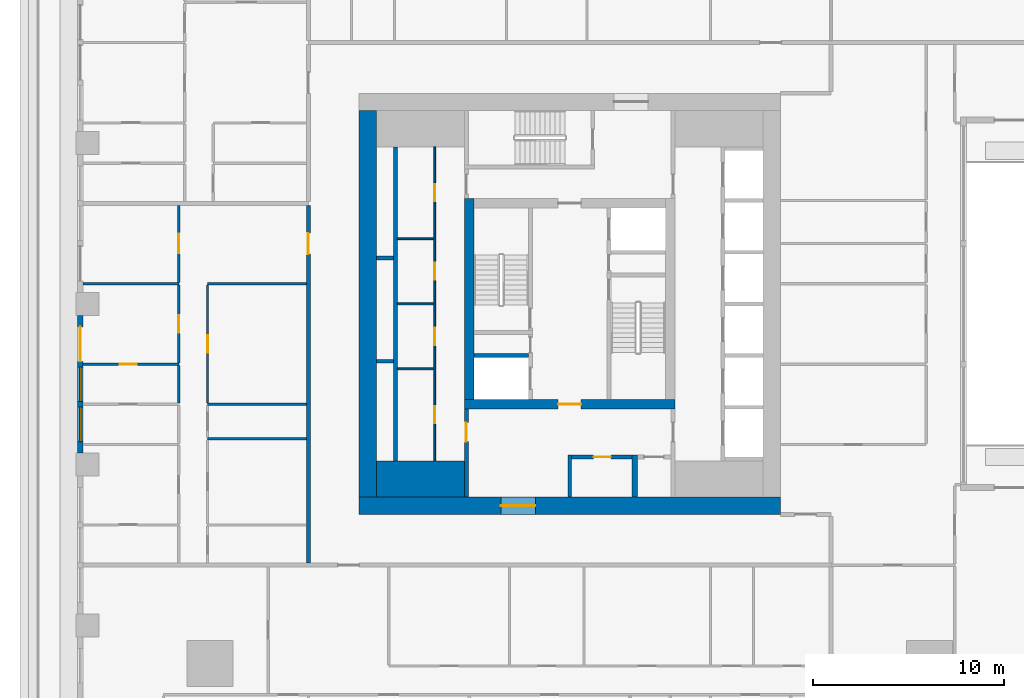
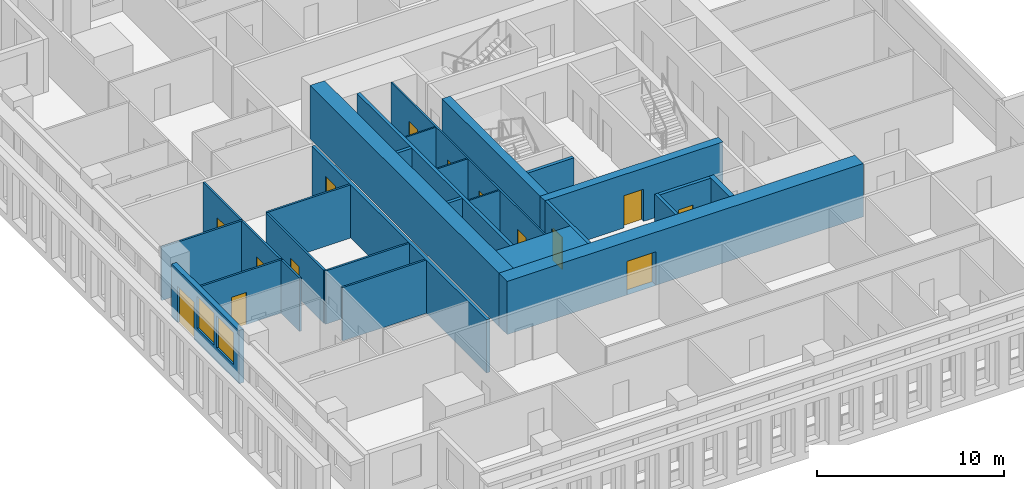
# One storey, part 3 of 15: 28 walls, 14 doors, 2 windows, 16 openings.
"""IFC4 building model written with IfcOpenShell, lengths in metres."""

from ifc_helpers import new_model, si_unit, direction, frame, frame_2d, origin, place, context, subcontext, project, spatial, rectangle, extrude, material, layer, layer_set, type_object, element, fill, save


model = new_model("IFC4")

# Units and contexts
model_context = context("Model", 3, precision=1e-05, world=origin(), true_north=direction((0.0, 1.0)))
body_context = subcontext(model_context, "Body", "Model", "MODEL_VIEW")
ifc_project = project(units=[si_unit("LENGTHUNIT", "METRE"), si_unit("AREAUNIT", "SQUARE_METRE"), si_unit("VOLUMEUNIT", "CUBIC_METRE"), si_unit("PLANEANGLEUNIT", "RADIAN"), si_unit("MASSUNIT", "GRAM", prefix="KILO")], contexts=[model_context])

# Site, building, storey
site_placement = place(None, origin())
site = spatial("IfcSite", under=ifc_project, at=site_placement, CompositionType="ELEMENT")
building_placement = place(site_placement, origin())
building = spatial("IfcBuilding", under=site, at=building_placement, Name="Khepri Terraces", CompositionType="ELEMENT")
storey_placement = place(building_placement, frame((0.0, 0.0, 211.800048828125)))
storey = spatial("IfcBuildingStorey", under=building, at=storey_placement, Name="L50", CompositionType="ELEMENT", Elevation=211.800048828125)

# Walls
ifc_material_1 = material(Name="Concrete C50/60", Category="concrete")
ifc_layer_1 = layer(ifc_material_1, 1.89990234375, Name="Concrete C50/60", Category="concrete")
ifc_layer_set_1 = layer_set([ifc_layer_1], Name="Concrete C50/60")
wall_type_1 = type_object("IfcWallType", Name="Core wall 1900 C50/60", PredefinedType="SHEAR", material=ifc_layer_set_1)
wall_1_placement = place(storey_placement, frame((-10.10009765625, -9.14990234375, 0.0), z_axis=(0.0, 0.0, 1.0), x_axis=(1.0, 0.0, 0.0)))
element("IfcWall", 1, at=wall_1_placement, inside=storey, type_object=wall_type_1, Name="Core wall PR01 L50", PredefinedType="SHEAR", context=body_context, shape_type="SweptSolid", body=[
    extrude(rectangle(XDim=4.60009765625, YDim=1.89990234375, at=frame_2d((2.300048828125, 0.0))), origin(), (0.0, 0.0, 1.0), 3.47998046875),
])
ifc_layer_2 = layer(ifc_material_1, 0.199951171875, Name="Concrete C50/60", Category="concrete")
ifc_layer_set_2 = layer_set([ifc_layer_2], Name="Concrete C50/60")
wall_type_2 = type_object("IfcWallType", Name="Core wall 200 C50/60", PredefinedType="SHEAR", material=ifc_layer_set_2)
wall_2_placement = place(storey_placement, frame((-9.10009765625, -8.199951171875, 0.0), z_axis=(0.0, 0.0, 1.0), x_axis=(0.0, 1.0, 0.0)))
element("IfcWall", 2, at=wall_2_placement, inside=storey, type_object=wall_type_2, Name="Core wall SH01 L50", PredefinedType="SHEAR", context=body_context, shape_type="SweptSolid", body=[
    extrude(rectangle(XDim=16.39990234375, YDim=0.199951171875, at=frame_2d((8.199951171875, 0.0))), origin(), (0.0, 0.0, 1.0), 3.47998046875),
])
wall_3_placement = place(storey_placement, frame((-10.10009765625, -3.0, 0.0), z_axis=(0.0, 0.0, 1.0), x_axis=(1.0, 0.0, 0.0)))
element("IfcWall", 3, at=wall_3_placement, inside=storey, type_object=wall_type_2, Name="Core wall SH06 L50", PredefinedType="SHEAR", context=body_context, shape_type="SweptSolid", body=[
    extrude(rectangle(XDim=0.900146484375, YDim=0.199951171875, at=frame_2d((0.4501953125, 0.0))), origin(), (0.0, 0.0, 1.0), 3.47998046875),
])
wall_4_placement = place(storey_placement, frame((-5.0, -2.699951171875, 0.0), z_axis=(0.0, 0.0, 1.0), x_axis=(1.0, 0.0, 0.0)))
element("IfcWall", 4, at=wall_4_placement, inside=storey, type_object=wall_type_2, Name="Core wall SH07 L50", PredefinedType="SHEAR", context=body_context, shape_type="SweptSolid", body=[
    extrude(rectangle(XDim=2.85009765625, YDim=0.199951171875, at=frame_2d((1.425048828125, 0.0))), origin(), (0.0, 0.0, 1.0), 3.47998046875),
])
wall_5_placement = place(storey_placement, frame((-10.10009765625, 2.39990234375, 0.0), z_axis=(0.0, 0.0, 1.0), x_axis=(1.0, 0.0, 0.0)))
element("IfcWall", 5, at=wall_5_placement, inside=storey, type_object=wall_type_2, Name="Core wall SH11 L50", PredefinedType="SHEAR", context=body_context, shape_type="SweptSolid", body=[
    extrude(rectangle(XDim=0.900146484375, YDim=0.199951171875, at=frame_2d((0.4501953125, 0.0))), origin(), (0.0, 0.0, 1.0), 3.47998046875),
])

# Wall, opening, door
ifc_layer_3 = layer(ifc_material_1, 0.5, Name="Concrete C50/60", Category="concrete")
ifc_layer_set_3 = layer_set([ifc_layer_3], Name="Concrete C50/60")
wall_type_3 = type_object("IfcWallType", Name="Core wall 500 C50/60", PredefinedType="SHEAR", material=ifc_layer_set_3)
wall_6_placement = place(storey_placement, frame((-5.5, -5.25, 0.0), z_axis=(0.0, 0.0, 1.0), x_axis=(1.0, 0.0, 0.0)))
wall_6 = element("IfcWall", 6, at=wall_6_placement, inside=storey, type_object=wall_type_3, Name="Core wall BX01 L50", PredefinedType="SHEAR", context=body_context, shape_type="SweptSolid", body=[
    extrude(rectangle(XDim=11.0, YDim=0.5, at=frame_2d((5.5, 0.0))), origin(), (0.0, 0.0, 1.0), 3.47998046875),
])
opening_1_placement = place(wall_6_placement, frame((4.89990234375, 0.0, 0.0)))
opening_1 = element("IfcOpeningElement", 7, at=opening_1_placement, cuts=wall_6, Name="Opening L50-C14", PredefinedType="OPENING", context=body_context, shape_type="SweptSolid", body=[
    extrude(rectangle(XDim=1.199951171875, YDim=2.10009765625, at=frame_2d((0.60009765625, 1.050048828125))), frame((0.0, 0.260009765625, 0.0), z_axis=(0.0, -1.0, 0.0), x_axis=(1.0, 0.0, 0.0)), (0.0, 0.0, 1.0), 0.52001953125),
])
ifc_material_2 = material(Name="Painted steel", Category="steel")
door_type_1 = type_object("IfcDoorType", Name="DR-CORE-FF-LOBBY-1200", OperationType="NOTDEFINED", PredefinedType="DOOR", material=ifc_material_2)
door_1_placement = place(opening_1_placement, origin())
door_1 = element("IfcDoor", 8, at=door_1_placement, inside=storey, type_object=door_type_1, Name="Firefighting lobby door L50-C14", OperationType="SINGLE_SWING_RIGHT", OverallHeight=2.10009765625, OverallWidth=1.199951171875, PredefinedType="DOOR", context=body_context, shape_type="SweptSolid", body=[
    extrude(rectangle(XDim=1.199951171875, YDim=2.10009765625, at=frame_2d((0.60009765625, 1.050048828125))), frame((0.0, 0.02490234375, 0.0), z_axis=(0.0, -1.0, 0.0), x_axis=(1.0, 0.0, 0.0)), (0.0, 0.0, 1.0), 0.050048828125),
])
fill(opening_1, door_1)

# Wall
wall_7_placement = place(storey_placement, frame((-5.25, -5.0, 0.0), z_axis=(0.0, 0.0, 1.0), x_axis=(0.0, 1.0, 0.0)))
element("IfcWall", 9, at=wall_7_placement, inside=storey, type_object=wall_type_3, Name="Core wall BX02 L50", PredefinedType="SHEAR", context=body_context, shape_type="SweptSolid", body=[
    extrude(rectangle(XDim=10.5, YDim=0.5, at=frame_2d((5.25, 0.0))), origin(), (0.0, 0.0, 1.0), 3.47998046875),
])

# Wall, opening, door
ifc_layer_4 = layer(ifc_material_1, 0.89990234375, Name="Concrete C50/60", Category="concrete")
ifc_layer_set_4 = layer_set([ifc_layer_4], Name="Concrete C50/60")
wall_type_4 = type_object("IfcWallType", Name="Core wall 900 C50/60", PredefinedType="SHEAR", material=ifc_layer_set_4)
wall_8_placement = place(storey_placement, frame((-11.0, -10.550048828125, 0.0), z_axis=(0.0, 0.0, 1.0), x_axis=(1.0, 0.0, 0.0)))
wall_8 = element("IfcWall", 10, at=wall_8_placement, inside=storey, type_object=wall_type_4, Name="Core wall OW-S L50", PredefinedType="SHEAR", context=body_context, shape_type="SweptSolid", body=[
    extrude(rectangle(XDim=22.0, YDim=0.89990234375, at=frame_2d((11.0, 0.0))), origin(), (0.0, 0.0, 1.0), 3.47998046875),
])
opening_2_placement = place(wall_8_placement, frame((7.39990234375, 0.0, 0.0)))
opening_2 = element("IfcOpeningElement", 11, at=opening_2_placement, cuts=wall_8, Name="Opening L50-C21", PredefinedType="OPENING", context=body_context, shape_type="SweptSolid", body=[
    extrude(rectangle(XDim=1.800048828125, YDim=2.199951171875, at=frame_2d((0.89990234375, 1.10009765625))), frame((0.0, 0.4599609375, 0.0), z_axis=(0.0, -1.0, 0.0), x_axis=(1.0, 0.0, 0.0)), (0.0, 0.0, 1.0), 0.919921875),
])
door_type_2 = type_object("IfcDoorType", Name="DR-CORE-ENTRANCE-1800", OperationType="NOTDEFINED", PredefinedType="DOOR", material=ifc_material_2)
door_2_placement = place(opening_2_placement, frame((1.800048828125, 0.0, 0.0), z_axis=(0.0, 0.0, 1.0), x_axis=(-1.0, 0.0, 0.0)))
door_2 = element("IfcDoor", 12, at=door_2_placement, inside=storey, type_object=door_type_2, Name="Core entrance door pair L50-C21", OperationType="DOUBLE_DOOR_SINGLE_SWING", OverallHeight=2.199951171875, OverallWidth=1.800048828125, PredefinedType="DOOR", context=body_context, shape_type="SweptSolid", body=[
    extrude(rectangle(XDim=1.800048828125, YDim=2.199951171875, at=frame_2d((0.89990234375, 1.10009765625))), frame((0.0, 0.02490234375, 0.0), z_axis=(0.0, -1.0, 0.0), x_axis=(1.0, 0.0, 0.0)), (0.0, 0.0, 1.0), 0.050048828125),
])
fill(opening_2, door_2)

# Wall
wall_9_placement = place(storey_placement, frame((-10.550048828125, -10.10009765625, 0.0), z_axis=(0.0, 0.0, 1.0), x_axis=(0.0, 1.0, 0.0)))
element("IfcWall", 13, at=wall_9_placement, inside=storey, type_object=wall_type_4, Name="Core wall OW-W L50", PredefinedType="SHEAR", context=body_context, shape_type="SweptSolid", body=[
    extrude(rectangle(XDim=20.2001953125, YDim=0.89990234375, at=frame_2d((10.10009765625, 0.0))), origin(), (0.0, 0.0, 1.0), 3.47998046875),
])

# Wall, openings, doors
ifc_material_3 = material(Name="Fire-rated gypsum board partition")
ifc_layer_5 = layer(ifc_material_3, 0.10009765625, Name="Fire-rated gypsum board partition")
ifc_layer_set_5 = layer_set([ifc_layer_5], Name="Fire-rated gypsum board partition")
wall_type_5 = type_object("IfcWallType", Name="WL-CORE-PART-100", PredefinedType="PARTITIONING", material=ifc_layer_set_5)
wall_10_placement = place(storey_placement, frame((-7.050048828125, -8.199951171875, 0.0), z_axis=(0.0, 0.0, 1.0), x_axis=(0.0, 1.0, 0.0)))
wall_10 = element("IfcWall", 14, at=wall_10_placement, inside=storey, type_object=wall_type_5, Name="Core partition PT05 L50", PredefinedType="PARTITIONING", context=body_context, shape_type="SweptSolid", body=[
    extrude(rectangle(XDim=16.39990234375, YDim=0.10009765625, at=frame_2d((8.199951171875, 0.0))), origin(), (0.0, 0.0, 1.0), 3.47998046875),
])
opening_3_placement = place(wall_10_placement, frame((1.949951171875, 0.0, 0.0)))
opening_3 = element("IfcOpeningElement", 15, at=opening_3_placement, cuts=wall_10, Name="Opening L50-C24", PredefinedType="OPENING", context=body_context, shape_type="SweptSolid", body=[
    extrude(rectangle(XDim=0.89990234375, YDim=2.10009765625, at=frame_2d((0.449951171875, 1.050048828125))), frame((0.0, 0.06005859375, 0.0), z_axis=(0.0, -1.0, 0.0), x_axis=(1.0, 0.0, 0.0)), (0.0, 0.0, 1.0), 0.1201171875),
])
opening_4_placement = place(wall_10_placement, frame((6.050048828125, 0.0, 0.0)))
opening_4 = element("IfcOpeningElement", 16, at=opening_4_placement, cuts=wall_10, Name="Opening L50-C25", PredefinedType="OPENING", context=body_context, shape_type="SweptSolid", body=[
    extrude(rectangle(XDim=0.89990234375, YDim=2.10009765625, at=frame_2d((0.449951171875, 1.050048828125))), frame((0.0, 0.06005859375, 0.0), z_axis=(0.0, -1.0, 0.0), x_axis=(1.0, 0.0, 0.0)), (0.0, 0.0, 1.0), 0.1201171875),
])
opening_5_placement = place(wall_10_placement, frame((9.449951171875, 0.0, 0.0)))
opening_5 = element("IfcOpeningElement", 17, at=opening_5_placement, cuts=wall_10, Name="Opening L50-C26", PredefinedType="OPENING", context=body_context, shape_type="SweptSolid", body=[
    extrude(rectangle(XDim=0.89990234375, YDim=2.10009765625, at=frame_2d((0.449951171875, 1.050048828125))), frame((0.0, 0.06005859375, 0.0), z_axis=(0.0, -1.0, 0.0), x_axis=(1.0, 0.0, 0.0)), (0.0, 0.0, 1.0), 0.1201171875),
])
opening_6_placement = place(wall_10_placement, frame((13.550048828125, 0.0, 0.0)))
opening_6 = element("IfcOpeningElement", 18, at=opening_6_placement, cuts=wall_10, Name="Opening L50-C27", PredefinedType="OPENING", context=body_context, shape_type="SweptSolid", body=[
    extrude(rectangle(XDim=0.89990234375, YDim=2.10009765625, at=frame_2d((0.449951171875, 1.050048828125))), frame((0.0, 0.06005859375, 0.0), z_axis=(0.0, -1.0, 0.0), x_axis=(1.0, 0.0, 0.0)), (0.0, 0.0, 1.0), 0.1201171875),
])
door_type_3 = type_object("IfcDoorType", Name="DR-CORE-SERVICE-900", OperationType="NOTDEFINED", PredefinedType="DOOR", material=ifc_material_2)
door_3_placement = place(opening_3_placement, origin())
door_3 = element("IfcDoor", 19, at=door_3_placement, inside=storey, type_object=door_type_3, Name="Service room door L50-C24", OperationType="SINGLE_SWING_LEFT", OverallHeight=2.10009765625, OverallWidth=0.89990234375, PredefinedType="DOOR", context=body_context, shape_type="SweptSolid", body=[
    extrude(rectangle(XDim=0.89990234375, YDim=2.10009765625, at=frame_2d((0.449951171875, 1.050048828125))), frame((0.0, 0.02490234375, 0.0), z_axis=(0.0, -1.0, 0.0), x_axis=(1.0, 0.0, 0.0)), (0.0, 0.0, 1.0), 0.050048828125),
])
fill(opening_3, door_3)
door_4_placement = place(opening_4_placement, origin())
door_4 = element("IfcDoor", 20, at=door_4_placement, inside=storey, type_object=door_type_3, Name="Service room door L50-C25", OperationType="SINGLE_SWING_LEFT", OverallHeight=2.10009765625, OverallWidth=0.89990234375, PredefinedType="DOOR", context=body_context, shape_type="SweptSolid", body=[
    extrude(rectangle(XDim=0.89990234375, YDim=2.10009765625, at=frame_2d((0.449951171875, 1.050048828125))), frame((0.0, 0.02490234375, 0.0), z_axis=(0.0, -1.0, 0.0), x_axis=(1.0, 0.0, 0.0)), (0.0, 0.0, 1.0), 0.050048828125),
])
fill(opening_4, door_4)
door_5_placement = place(opening_5_placement, origin())
door_5 = element("IfcDoor", 21, at=door_5_placement, inside=storey, type_object=door_type_3, Name="Service room door L50-C26", OperationType="SINGLE_SWING_RIGHT", OverallHeight=2.10009765625, OverallWidth=0.89990234375, PredefinedType="DOOR", context=body_context, shape_type="SweptSolid", body=[
    extrude(rectangle(XDim=0.89990234375, YDim=2.10009765625, at=frame_2d((0.449951171875, 1.050048828125))), frame((0.0, 0.02490234375, 0.0), z_axis=(0.0, -1.0, 0.0), x_axis=(1.0, 0.0, 0.0)), (0.0, 0.0, 1.0), 0.050048828125),
])
fill(opening_5, door_5)
door_6_placement = place(opening_6_placement, origin())
door_6 = element("IfcDoor", 22, at=door_6_placement, inside=storey, type_object=door_type_3, Name="Service room door L50-C27", OperationType="SINGLE_SWING_RIGHT", OverallHeight=2.10009765625, OverallWidth=0.89990234375, PredefinedType="DOOR", context=body_context, shape_type="SweptSolid", body=[
    extrude(rectangle(XDim=0.89990234375, YDim=2.10009765625, at=frame_2d((0.449951171875, 1.050048828125))), frame((0.0, 0.02490234375, 0.0), z_axis=(0.0, -1.0, 0.0), x_axis=(1.0, 0.0, 0.0)), (0.0, 0.0, 1.0), 0.050048828125),
])
fill(opening_6, door_6)

# Walls
for number, where, z_axis, x_axis, name in (
    (23, (-9.0, -3.39990234375, 0.0), (0.0, 0.0, 1.0), (1.0, 0.0, 0.0), "Core partition PT08 L50"),
    (24, (-9.0, 0.0, 0.0), (0.0, 0.0, 1.0), (1.0, 0.0, 0.0), "Core partition PT09 L50"),
    (25, (-9.0, 3.39990234375, 0.0), (0.0, 0.0, 1.0), (1.0, 0.0, 0.0), "Core partition PT10 L50"),
):
    element("IfcWall", number, at=place(storey_placement, frame(where, z_axis=z_axis, x_axis=x_axis)), inside=storey, type_object=wall_type_5, Name=name, PredefinedType="PARTITIONING", context=body_context, shape_type="SweptSolid", body=[
        extrude(rectangle(XDim=1.89990234375, YDim=0.10009765625, at=frame_2d((0.949951171875, 0.0))), origin(), (0.0, 0.0, 1.0), 3.47998046875),
    ])

# Wall, opening, door
ifc_layer_6 = layer(ifc_material_3, 0.199951171875, Name="Fire-rated gypsum board partition")
ifc_layer_set_6 = layer_set([ifc_layer_6], Name="Fire-rated gypsum board partition")
wall_type_6 = type_object("IfcWallType", Name="WL-CORE-PART-200", PredefinedType="PARTITIONING", material=ifc_layer_set_6)
wall_11_placement = place(storey_placement, frame((-5.39990234375, -10.10009765625, 0.0), z_axis=(0.0, 0.0, 1.0), x_axis=(0.0, 1.0, 0.0)))
wall_11 = element("IfcWall", 26, at=wall_11_placement, inside=storey, type_object=wall_type_6, Name="Core partition PT01 L50", PredefinedType="PARTITIONING", context=body_context, shape_type="SweptSolid", body=[
    extrude(rectangle(XDim=4.60009765625, YDim=0.199951171875, at=frame_2d((2.300048828125, 0.0))), origin(), (0.0, 0.0, 1.0), 3.47998046875),
])
opening_7_placement = place(wall_11_placement, frame((2.89990234375, 0.0, 0.0)))
opening_7 = element("IfcOpeningElement", 27, at=opening_7_placement, cuts=wall_11, Name="Opening L50-C18", PredefinedType="OPENING", context=body_context, shape_type="SweptSolid", body=[
    extrude(rectangle(XDim=1.0, YDim=2.10009765625, at=frame_2d((0.5, 1.050048828125))), frame((0.0, 0.10986328125, 0.0), z_axis=(0.0, -1.0, 0.0), x_axis=(1.0, 0.0, 0.0)), (0.0, 0.0, 1.0), 0.219970703125),
])
door_type_4 = type_object("IfcDoorType", Name="DR-CORE-LOBBY-1000", OperationType="NOTDEFINED", PredefinedType="DOOR", material=ifc_material_2)
door_7_placement = place(opening_7_placement, frame((1.0, 0.0, 0.0), z_axis=(0.0, 0.0, 1.0), x_axis=(-1.0, 0.0, 0.0)))
door_7 = element("IfcDoor", 28, at=door_7_placement, inside=storey, type_object=door_type_4, Name="Lobby door L50-C18", OperationType="SINGLE_SWING_LEFT", OverallHeight=2.10009765625, OverallWidth=1.0, PredefinedType="DOOR", context=body_context, shape_type="SweptSolid", body=[
    extrude(rectangle(XDim=1.0, YDim=2.10009765625, at=frame_2d((0.5, 1.050048828125))), frame((0.0, 0.02490234375, 0.0), z_axis=(0.0, -1.0, 0.0), x_axis=(1.0, 0.0, 0.0)), (0.0, 0.0, 1.0), 0.050048828125),
])
fill(opening_7, door_7)

# Wall
wall_12_placement = place(storey_placement, frame((0.0, -10.10009765625, 0.0), z_axis=(0.0, 0.0, 1.0), x_axis=(0.0, 1.0, 0.0)))
element("IfcWall", 29, at=wall_12_placement, inside=storey, type_object=wall_type_6, Name="Core partition PT02 L50", PredefinedType="PARTITIONING", context=body_context, shape_type="SweptSolid", body=[
    extrude(rectangle(XDim=2.2001953125, YDim=0.199951171875, at=frame_2d((1.10009765625, 0.0))), origin(), (0.0, 0.0, 1.0), 3.47998046875),
])

# Wall, opening, door
wall_13_placement = place(storey_placement, frame((0.10009765625, -8.0, 0.0), z_axis=(0.0, 0.0, 1.0), x_axis=(1.0, 0.0, 0.0)))
wall_13 = element("IfcWall", 30, at=wall_13_placement, inside=storey, type_object=wall_type_6, Name="Core partition PT06 L50", PredefinedType="PARTITIONING", context=body_context, shape_type="SweptSolid", body=[
    extrude(rectangle(XDim=3.14990234375, YDim=0.199951171875, at=frame_2d((1.574951171875, 0.0))), origin(), (0.0, 0.0, 1.0), 3.47998046875),
])
opening_8_placement = place(wall_13_placement, frame((1.14990234375, 0.0, 0.0)))
opening_8 = element("IfcOpeningElement", 31, at=opening_8_placement, cuts=wall_13, Name="Opening L50-C22", PredefinedType="OPENING", context=body_context, shape_type="SweptSolid", body=[
    extrude(rectangle(XDim=0.89990234375, YDim=2.10009765625, at=frame_2d((0.449951171875, 1.050048828125))), frame((0.0, 0.10986328125, 0.0), z_axis=(0.0, -1.0, 0.0), x_axis=(1.0, 0.0, 0.0)), (0.0, 0.0, 1.0), 0.219970703125),
])
door_8_placement = place(opening_8_placement, frame((0.89990234375, 0.0, 0.0), z_axis=(0.0, 0.0, 1.0), x_axis=(-1.0, 0.0, 0.0)))
door_8 = element("IfcDoor", 32, at=door_8_placement, inside=storey, type_object=door_type_3, Name="Service room door L50-C22", OperationType="SINGLE_SWING_LEFT", OverallHeight=2.10009765625, OverallWidth=0.89990234375, PredefinedType="DOOR", context=body_context, shape_type="SweptSolid", body=[
    extrude(rectangle(XDim=0.89990234375, YDim=2.10009765625, at=frame_2d((0.449951171875, 1.050048828125))), frame((0.0, 0.02490234375, 0.0), z_axis=(0.0, -1.0, 0.0), x_axis=(1.0, 0.0, 0.0)), (0.0, 0.0, 1.0), 0.050048828125),
])
fill(opening_8, door_8)

# Wall
ifc_layer_7 = layer(ifc_material_3, 0.300048828125, Name="Fire-rated gypsum board partition")
ifc_layer_set_7 = layer_set([ifc_layer_7], Name="Fire-rated gypsum board partition")
wall_type_7 = type_object("IfcWallType", Name="WL-CORE-PART-300", PredefinedType="PARTITIONING", material=ifc_layer_set_7)
wall_14_placement = place(storey_placement, frame((3.39990234375, -10.10009765625, 0.0), z_axis=(0.0, 0.0, 1.0), x_axis=(0.0, 1.0, 0.0)))
element("IfcWall", 33, at=wall_14_placement, inside=storey, type_object=wall_type_7, Name="Core partition PT03 L50", PredefinedType="PARTITIONING", context=body_context, shape_type="SweptSolid", body=[
    extrude(rectangle(XDim=2.2001953125, YDim=0.300048828125, at=frame_2d((1.10009765625, 0.0))), origin(), (0.0, 0.0, 1.0), 3.47998046875),
])

# Wall, opening, door
ifc_material_4 = material(Name="Fire-rated gypsum plasterboard partition, mineral wool")
ifc_layer_8 = layer(ifc_material_4, 0.199951171875, Name="Fire-rated gypsum plasterboard partition, mineral wool")
ifc_layer_set_8 = layer_set([ifc_layer_8], Name="Fire-rated gypsum plasterboard partition, mineral wool")
wall_type_8 = type_object("IfcWallType", Name="WL-CORR-200", PredefinedType="PARTITIONING", material=ifc_layer_set_8)
wall_15_placement = place(storey_placement, frame((-13.64990234375, -13.550048828125, 0.0), z_axis=(0.0, 0.0, 1.0), x_axis=(0.0, 1.0, 0.0)))
wall_15 = element("IfcWall", 34, at=wall_15_placement, inside=storey, type_object=wall_type_8, Name="Partition P-023 L50", PredefinedType="PARTITIONING", context=body_context, shape_type="SweptSolid", body=[
    extrude(rectangle(XDim=18.699951171875, YDim=0.199951171875, at=frame_2d((9.35009765625, 0.0))), origin(), (0.0, 0.0, 1.0), 3.47998046875),
])
opening_9_placement = place(wall_15_placement, frame((16.14990234375, 0.0, 0.0)))
opening_9 = element("IfcOpeningElement", 35, at=opening_9_placement, cuts=wall_15, Name="Opening D1", PredefinedType="OPENING", context=body_context, shape_type="SweptSolid", body=[
    extrude(rectangle(XDim=1.10009765625, YDim=2.39990234375, at=frame_2d((0.550048828125, 1.199951171875))), frame((0.0, 0.10986328125, 0.0), z_axis=(0.0, -1.0, 0.0), x_axis=(1.0, 0.0, 0.0)), (0.0, 0.0, 1.0), 0.219970703125),
])
ifc_material_5 = material(Name="Solid-core timber door leaf, flat entrance door", Category="wood")
door_type_5 = type_object("IfcDoorType", Name="DR-ENT-1100", OperationType="NOTDEFINED", PredefinedType="DOOR", material=ifc_material_5)
door_9_placement = place(opening_9_placement, origin())
door_9 = element("IfcDoor", 36, at=door_9_placement, inside=storey, type_object=door_type_5, Name="Flat D2 entrance door", OperationType="SINGLE_SWING_RIGHT", OverallHeight=2.39990234375, OverallWidth=1.10009765625, PredefinedType="DOOR", context=body_context, shape_type="SweptSolid", body=[
    extrude(rectangle(XDim=1.10009765625, YDim=2.39990234375, at=frame_2d((0.550048828125, 1.199951171875))), frame((0.0, 0.02490234375, 0.0), z_axis=(0.0, -1.0, 0.0), x_axis=(1.0, 0.0, 0.0)), (0.0, 0.0, 1.0), 0.050048828125),
])
fill(opening_9, door_9)

# Wall, openings, door, windows
ifc_material_6 = material(Name="Precast concrete C50/60 warm stone", Category="masonry")
ifc_layer_9 = layer(ifc_material_6, 0.300048828125, Name="Precast concrete C50/60 warm stone", Category="masonry")
ifc_layer_set_9 = layer_set([ifc_layer_9], Name="Precast concrete C50/60 warm stone")
wall_type_9 = type_object("IfcWallType", Name="WL-EXT-PRECAST-300", PredefinedType="STANDARD", material=ifc_layer_set_9)
wall_16_placement = place(storey_placement, frame((-25.570068359375, -0.60009765625, 0.0), z_axis=(0.0, 0.0, 1.0), x_axis=(0.0, -1.0, 0.0)))
wall_16 = element("IfcWall", 37, at=wall_16_placement, inside=storey, type_object=wall_type_9, Name="External wall L50 W", PredefinedType="STANDARD", context=body_context, shape_type="SweptSolid", body=[
    extrude(rectangle(XDim=7.199951171875, YDim=0.300048828125, at=frame_2d((3.60009765625, 0.0))), origin(), (0.0, 0.0, 1.0), 3.47998046875),
])
opening_10_placement = place(wall_16_placement, frame((0.60009765625, 0.0, 0.0)))
opening_10 = element("IfcOpeningElement", 38, at=opening_10_placement, cuts=wall_16, Name="Opening ED-L50-16", PredefinedType="OPENING", context=body_context, shape_type="SweptSolid", body=[
    extrude(rectangle(XDim=1.800048828125, YDim=2.39990234375, at=frame_2d((0.89990234375, 1.199951171875))), frame((0.0, 0.16015625, 0.0), z_axis=(0.0, -1.0, 0.0), x_axis=(1.0, 0.0, 0.0)), (0.0, 0.0, 1.0), 0.320068359375),
])
opening_11_placement = place(wall_16_placement, frame((2.699951171875, 0.0, 0.89990234375)))
opening_11 = element("IfcOpeningElement", 39, at=opening_11_placement, cuts=wall_16, Name="Opening W1", PredefinedType="OPENING", context=body_context, shape_type="SweptSolid", body=[
    extrude(rectangle(XDim=1.800048828125, YDim=2.10009765625, at=frame_2d((0.89990234375, 1.050048828125))), frame((0.0, 0.16015625, 0.0), z_axis=(0.0, -1.0, 0.0), x_axis=(1.0, 0.0, 0.0)), (0.0, 0.0, 1.0), 0.320068359375),
])
opening_12_placement = place(wall_16_placement, frame((4.800048828125, 0.0, 0.89990234375)))
opening_12 = element("IfcOpeningElement", 40, at=opening_12_placement, cuts=wall_16, Name="Opening W1", PredefinedType="OPENING", context=body_context, shape_type="SweptSolid", body=[
    extrude(rectangle(XDim=1.800048828125, YDim=2.10009765625, at=frame_2d((0.89990234375, 1.050048828125))), frame((0.0, 0.16015625, 0.0), z_axis=(0.0, -1.0, 0.0), x_axis=(1.0, 0.0, 0.0)), (0.0, 0.0, 1.0), 0.320068359375),
])
ifc_material_7 = material(Name="Anodised aluminium bronze glazed door", Category="aluminium")
door_type_6 = type_object("IfcDoorType", Name="DR-BAL-SLIDE-1800x2400", OperationType="NOTDEFINED", PredefinedType="DOOR", material=ifc_material_7)
door_10_placement = place(opening_10_placement, origin())
door_10 = element("IfcDoor", 41, at=door_10_placement, inside=storey, type_object=door_type_6, Name="Balcony door L50 W", OperationType="SLIDING_TO_LEFT", OverallHeight=2.39990234375, OverallWidth=1.800048828125, PredefinedType="DOOR", context=body_context, shape_type="SweptSolid", body=[
    extrude(rectangle(XDim=1.800048828125, YDim=2.39990234375, at=frame_2d((0.89990234375, 1.199951171875))), frame((0.0, 0.02490234375, 0.0), z_axis=(0.0, -1.0, 0.0), x_axis=(1.0, 0.0, 0.0)), (0.0, 0.0, 1.0), 0.050048828125),
])
fill(opening_10, door_10)
ifc_material_8 = material(Name="Clear glass", Category="glass")
window_type = type_object("IfcWindowType", Name="WIN-RES-1800x2100", PartitioningType="SINGLE_PANEL", PredefinedType="WINDOW", material=ifc_material_8)
window_1_placement = place(opening_11_placement, origin())
window_1 = element("IfcWindow", 42, at=window_1_placement, inside=storey, type_object=window_type, Name="Window L50 W", OverallHeight=2.10009765625, OverallWidth=1.800048828125, PartitioningType="SINGLE_PANEL", PredefinedType="WINDOW", context=body_context, shape_type="SweptSolid", body=[
    extrude(rectangle(XDim=1.800048828125, YDim=2.10009765625, at=frame_2d((0.89990234375, 1.050048828125))), frame((0.0, 0.030029296875, 0.0), z_axis=(0.0, -1.0, 0.0), x_axis=(1.0, 0.0, 0.0)), (0.0, 0.0, 1.0), 0.06005859375),
])
fill(opening_11, window_1)
window_2_placement = place(opening_12_placement, origin())
window_2 = element("IfcWindow", 43, at=window_2_placement, inside=storey, type_object=window_type, Name="Window L50 W", OverallHeight=2.10009765625, OverallWidth=1.800048828125, PartitioningType="SINGLE_PANEL", PredefinedType="WINDOW", context=body_context, shape_type="SweptSolid", body=[
    extrude(rectangle(XDim=1.800048828125, YDim=2.10009765625, at=frame_2d((0.89990234375, 1.050048828125))), frame((0.0, 0.030029296875, 0.0), z_axis=(0.0, -1.0, 0.0), x_axis=(1.0, 0.0, 0.0)), (0.0, 0.0, 1.0), 0.06005859375),
])
fill(opening_12, window_2)

# Walls
ifc_material_9 = material(Name="Gypsum plasterboard partition")
ifc_layer_10 = layer(ifc_material_9, 0.1201171875, Name="Gypsum plasterboard partition")
ifc_layer_set_10 = layer_set([ifc_layer_10], Name="Gypsum plasterboard partition")
wall_type_10 = type_object("IfcWallType", Name="WL-PART-120", PredefinedType="PARTITIONING", material=ifc_layer_set_10)
for number, where, z_axis, x_axis, name in (
    (44, (-18.919921875, -7.050048828125, 0.0), (0.0, 0.0, 1.0), (1.0, 0.0, 0.0), "Partition P-035 L50"),
    (45, (-18.919921875, -5.25, 0.0), (0.0, 0.0, 1.0), (1.0, 0.0, 0.0), "Partition P-038 L50"),
):
    element("IfcWall", number, at=place(storey_placement, frame(where, z_axis=z_axis, x_axis=x_axis)), inside=storey, type_object=wall_type_10, Name=name, PredefinedType="PARTITIONING", context=body_context, shape_type="SweptSolid", body=[
        extrude(rectangle(XDim=5.169921875, YDim=0.1201171875, at=frame_2d((2.5849609375, 0.0))), origin(), (0.0, 0.0, 1.0), 3.47998046875),
    ])
wall_17_placement = place(storey_placement, frame((-20.419921875, -5.18994140625, 0.0), z_axis=(0.0, 0.0, 1.0), x_axis=(0.0, 1.0, 0.0)))
element("IfcWall", 46, at=wall_17_placement, inside=storey, type_object=wall_type_10, Name="Partition P-039 L50", PredefinedType="PARTITIONING", context=body_context, shape_type="SweptSolid", body=[
    extrude(rectangle(XDim=1.97998046875, YDim=0.1201171875, at=frame_2d((0.989990234375, 0.0))), origin(), (0.0, 0.0, 1.0), 3.47998046875),
])

# Wall, opening, door
wall_18_placement = place(storey_placement, frame((-18.919921875, -5.18994140625, 0.0), z_axis=(0.0, 0.0, 1.0), x_axis=(0.0, 1.0, 0.0)))
wall_18 = element("IfcWall", 47, at=wall_18_placement, inside=storey, type_object=wall_type_10, Name="Partition P-040 L50", PredefinedType="PARTITIONING", context=body_context, shape_type="SweptSolid", body=[
    extrude(rectangle(XDim=6.179931640625, YDim=0.1201171875, at=frame_2d((3.08984375, 0.0))), origin(), (0.0, 0.0, 1.0), 3.47998046875),
])
opening_13_placement = place(wall_18_placement, frame((2.639892578125, 0.0, 0.0)))
opening_13 = element("IfcOpeningElement", 48, at=opening_13_placement, cuts=wall_18, Name="Opening D3", PredefinedType="OPENING", context=body_context, shape_type="SweptSolid", body=[
    extrude(rectangle(XDim=0.89990234375, YDim=2.10009765625, at=frame_2d((0.449951171875, 1.050048828125))), frame((0.0, 0.070068359375, 0.0), z_axis=(0.0, -1.0, 0.0), x_axis=(1.0, 0.0, 0.0)), (0.0, 0.0, 1.0), 0.14013671875),
])
ifc_material_10 = material(Name="Timber door leaf", Category="wood")
door_type_7 = type_object("IfcDoorType", Name="DR-INT-900", OperationType="NOTDEFINED", PredefinedType="DOOR", material=ifc_material_10)
door_11_placement = place(opening_13_placement, frame((0.89990234375, 0.0, 0.0), z_axis=(0.0, 0.0, 1.0), x_axis=(-1.0, 0.0, 0.0)))
door_11 = element("IfcDoor", 49, at=door_11_placement, inside=storey, type_object=door_type_7, Name="Door Kitchen", OperationType="SINGLE_SWING_LEFT", OverallHeight=2.10009765625, OverallWidth=0.89990234375, PredefinedType="DOOR", context=body_context, shape_type="SweptSolid", body=[
    extrude(rectangle(XDim=0.89990234375, YDim=2.10009765625, at=frame_2d((0.449951171875, 1.050048828125))), frame((0.0, 0.02490234375, 0.0), z_axis=(0.0, -1.0, 0.0), x_axis=(1.0, 0.0, 0.0)), (0.0, 0.0, 1.0), 0.050048828125),
])
fill(opening_13, door_11)

wall_19_placement = place(storey_placement, frame((-25.419921875, -3.14990234375, 0.0), z_axis=(0.0, 0.0, 1.0), x_axis=(1.0, 0.0, 0.0)))
wall_19 = element("IfcWall", 50, at=wall_19_placement, inside=storey, type_object=wall_type_10, Name="Partition P-041 L50", PredefinedType="PARTITIONING", context=body_context, shape_type="SweptSolid", body=[
    extrude(rectangle(XDim=5.0, YDim=0.1201171875, at=frame_2d((2.5, 0.0))), origin(), (0.0, 0.0, 1.0), 3.47998046875),
])
opening_14_placement = place(wall_19_placement, frame((1.89990234375, 0.0, 0.0)))
opening_14 = element("IfcOpeningElement", 51, at=opening_14_placement, cuts=wall_19, Name="Opening D3", PredefinedType="OPENING", context=body_context, shape_type="SweptSolid", body=[
    extrude(rectangle(XDim=0.89990234375, YDim=2.10009765625, at=frame_2d((0.449951171875, 1.050048828125))), frame((0.0, 0.070068359375, 0.0), z_axis=(0.0, -1.0, 0.0), x_axis=(1.0, 0.0, 0.0)), (0.0, 0.0, 1.0), 0.14013671875),
])
door_12_placement = place(opening_14_placement, frame((0.89990234375, 0.0, 0.0), z_axis=(0.0, 0.0, 1.0), x_axis=(-1.0, 0.0, 0.0)))
door_12 = element("IfcDoor", 52, at=door_12_placement, inside=storey, type_object=door_type_7, Name="Door Dressing Room", OperationType="SINGLE_SWING_RIGHT", OverallHeight=2.10009765625, OverallWidth=0.89990234375, PredefinedType="DOOR", context=body_context, shape_type="SweptSolid", body=[
    extrude(rectangle(XDim=0.89990234375, YDim=2.10009765625, at=frame_2d((0.449951171875, 1.050048828125))), frame((0.0, 0.02490234375, 0.0), z_axis=(0.0, -1.0, 0.0), x_axis=(1.0, 0.0, 0.0)), (0.0, 0.0, 1.0), 0.050048828125),
])
fill(opening_14, door_12)

wall_20_placement = place(storey_placement, frame((-20.419921875, -3.090087890625, 0.0), z_axis=(0.0, 0.0, 1.0), x_axis=(0.0, 1.0, 0.0)))
wall_20 = element("IfcWall", 53, at=wall_20_placement, inside=storey, type_object=wall_type_10, Name="Partition P-043 L50", PredefinedType="PARTITIONING", context=body_context, shape_type="SweptSolid", body=[
    extrude(rectangle(XDim=4.080078125, YDim=0.1201171875, at=frame_2d((2.0400390625, 0.0))), origin(), (0.0, 0.0, 1.0), 3.47998046875),
])
opening_15_placement = place(wall_20_placement, frame((1.590087890625, 0.0, 0.0)))
opening_15 = element("IfcOpeningElement", 54, at=opening_15_placement, cuts=wall_20, Name="Opening D3", PredefinedType="OPENING", context=body_context, shape_type="SweptSolid", body=[
    extrude(rectangle(XDim=0.89990234375, YDim=2.10009765625, at=frame_2d((0.449951171875, 1.050048828125))), frame((0.0, 0.070068359375, 0.0), z_axis=(0.0, -1.0, 0.0), x_axis=(1.0, 0.0, 0.0)), (0.0, 0.0, 1.0), 0.14013671875),
])
door_13_placement = place(opening_15_placement, origin())
door_13 = element("IfcDoor", 55, at=door_13_placement, inside=storey, type_object=door_type_7, Name="Door Master Bedroom", OperationType="SINGLE_SWING_RIGHT", OverallHeight=2.10009765625, OverallWidth=0.89990234375, PredefinedType="DOOR", context=body_context, shape_type="SweptSolid", body=[
    extrude(rectangle(XDim=0.89990234375, YDim=2.10009765625, at=frame_2d((0.449951171875, 1.050048828125))), frame((0.0, 0.02490234375, 0.0), z_axis=(0.0, -1.0, 0.0), x_axis=(1.0, 0.0, 0.0)), (0.0, 0.0, 1.0), 0.050048828125),
])
fill(opening_15, door_13)

# Walls
wall_21_placement = place(storey_placement, frame((-25.419921875, 1.050048828125, 0.0), z_axis=(0.0, 0.0, 1.0), x_axis=(1.0, 0.0, 0.0)))
element("IfcWall", 56, at=wall_21_placement, inside=storey, type_object=wall_type_10, Name="Partition P-045 L50", PredefinedType="PARTITIONING", context=body_context, shape_type="SweptSolid", body=[
    extrude(rectangle(XDim=5.0, YDim=0.1201171875, at=frame_2d((2.5, 0.0))), origin(), (0.0, 0.0, 1.0), 3.47998046875),
])
wall_22_placement = place(storey_placement, frame((-18.919921875, 1.050048828125, 0.0), z_axis=(0.0, 0.0, 1.0), x_axis=(1.0, 0.0, 0.0)))
element("IfcWall", 57, at=wall_22_placement, inside=storey, type_object=wall_type_10, Name="Partition P-046 L50", PredefinedType="PARTITIONING", context=body_context, shape_type="SweptSolid", body=[
    extrude(rectangle(XDim=5.169921875, YDim=0.1201171875, at=frame_2d((2.5849609375, 0.0))), origin(), (0.0, 0.0, 1.0), 3.47998046875),
])

# Wall, opening, door
wall_23_placement = place(storey_placement, frame((-20.419921875, 1.110107421875, 0.0), z_axis=(0.0, 0.0, 1.0), x_axis=(0.0, 1.0, 0.0)))
wall_23 = element("IfcWall", 58, at=wall_23_placement, inside=storey, type_object=wall_type_10, Name="Partition P-048 L50", PredefinedType="PARTITIONING", context=body_context, shape_type="SweptSolid", body=[
    extrude(rectangle(XDim=4.039794921875, YDim=0.1201171875, at=frame_2d((2.02001953125, 0.0))), origin(), (0.0, 0.0, 1.0), 3.47998046875),
])
opening_16_placement = place(wall_23_placement, frame((1.5400390625, 0.0, 0.0)))
opening_16 = element("IfcOpeningElement", 59, at=opening_16_placement, cuts=wall_23, Name="Opening D2", PredefinedType="OPENING", context=body_context, shape_type="SweptSolid", body=[
    extrude(rectangle(XDim=1.0, YDim=2.10009765625, at=frame_2d((0.5, 1.050048828125))), frame((0.0, 0.070068359375, 0.0), z_axis=(0.0, -1.0, 0.0), x_axis=(1.0, 0.0, 0.0)), (0.0, 0.0, 1.0), 0.14013671875),
])
ifc_material_11 = material(Name="Timber door leaf, living room door", Category="wood")
door_type_8 = type_object("IfcDoorType", Name="DR-INT-1000", OperationType="NOTDEFINED", PredefinedType="DOOR", material=ifc_material_11)
door_14_placement = place(opening_16_placement, origin())
door_14 = element("IfcDoor", 60, at=door_14_placement, inside=storey, type_object=door_type_8, Name="Door Sun Lounge", OperationType="SINGLE_SWING_RIGHT", OverallHeight=2.10009765625, OverallWidth=1.0, PredefinedType="DOOR", context=body_context, shape_type="SweptSolid", body=[
    extrude(rectangle(XDim=1.0, YDim=2.10009765625, at=frame_2d((0.5, 1.050048828125))), frame((0.0, 0.02490234375, 0.0), z_axis=(0.0, -1.0, 0.0), x_axis=(1.0, 0.0, 0.0)), (0.0, 0.0, 1.0), 0.050048828125),
])
fill(opening_16, door_14)

save(model, "model.ifc")
